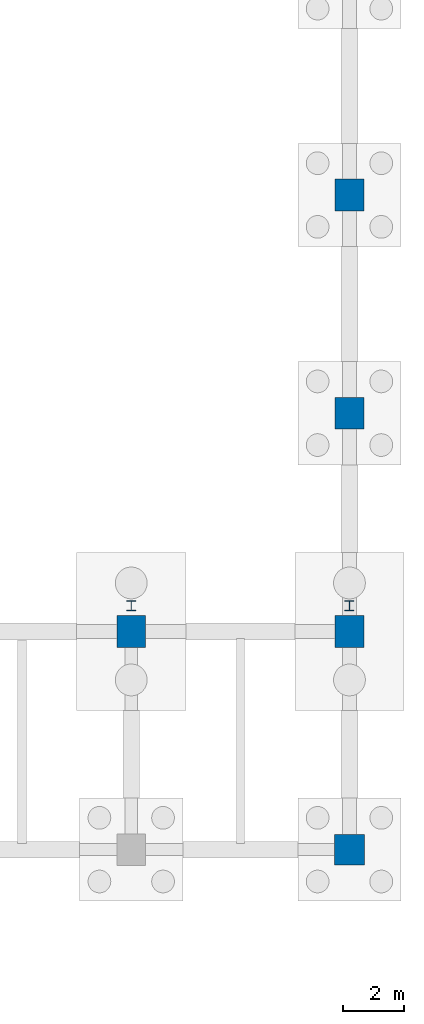
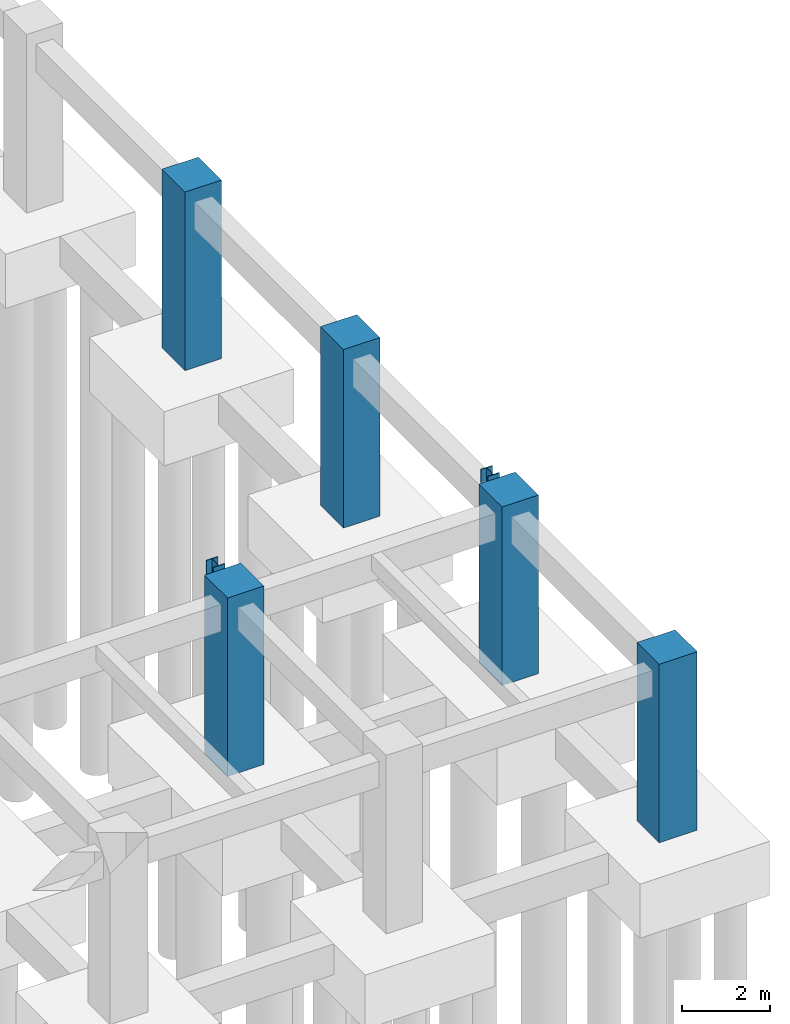
# One storey, part 20 of 47: 7 columns.
"""IFC4 building model written with IfcOpenShell, lengths in metres."""

from ifc_helpers import new_model, si_unit, direction, frame, origin, origin_2d, place, context, subcontext, project, spatial, rectangle, i_section, extrude, material, material_profile, profile_set, type_object, element, save


model = new_model("IFC4")

# Units and contexts
model_context = context("Model", 3, precision=1e-05, world=origin(), true_north=direction((0.0, 1.0)))
body_context = subcontext(model_context, "Body", "Model", "MODEL_VIEW")
ifc_project = project(units=[si_unit("LENGTHUNIT", "METRE"), si_unit("AREAUNIT", "SQUARE_METRE"), si_unit("VOLUMEUNIT", "CUBIC_METRE"), si_unit("PLANEANGLEUNIT", "RADIAN"), si_unit("MASSUNIT", "GRAM", prefix="KILO")], contexts=[model_context])

# Site, building, storey
site_placement = place(None, origin())
site = spatial("IfcSite", under=ifc_project, at=site_placement, CompositionType="ELEMENT")
building_placement = place(site_placement, origin())
building = spatial("IfcBuilding", under=site, at=building_placement, Name="Thalmaran Polytechnic", CompositionType="ELEMENT")
storey_placement = place(building_placement, frame((0.0, 0.0, -4.5)))
storey = spatial("IfcBuildingStorey", under=building, at=storey_placement, Name="B1", CompositionType="ELEMENT", Elevation=-4.5)

# Columns
ifc_material_1 = material(Name="Steel S355", Category="steel")
ifc_material_profile_1 = material_profile(ifc_material_1, i_section(OverallWidth=0.300048828125, OverallDepth=0.340087890625, WebThickness=0.011962890625, FlangeThickness=0.021484375, at=origin_2d()), Name="HEB 340")
ifc_profile_set_1 = profile_set([ifc_material_profile_1], Name="Steel S355")
column_type_1 = type_object("IfcColumnType", Name="COL-SC1", PredefinedType="COLUMN", material=ifc_profile_set_1)
for number, where, z_axis, x_axis, name in (
    (1, (165.60009765625, 8.050048828125, -0.449951171875), (0.0, 0.0, 1.0), (1.0, 0.0, 0.0), "Workshop Crane Runway Column B1 (23,1)"),
    (2, (172.800048828125, 8.050048828125, -0.449951171875), (0.0, 0.0, 1.0), (1.0, 0.0, 0.0), "Workshop Crane Runway Column B1 (24,1)"),
):
    element("IfcColumn", number, at=place(storey_placement, frame(where, z_axis=z_axis, x_axis=x_axis)), inside=storey, type_object=column_type_1, Name=name, PredefinedType="COLUMN", context=body_context, shape_type="SweptSolid", body=[
        extrude(i_section(OverallWidth=0.300048828125, OverallDepth=0.340087890625, WebThickness=0.011962890625, FlangeThickness=0.021484375, at=origin_2d()), origin(), (0.0, 0.0, 1.0), 4.949951171875),
    ])
ifc_material_2 = material(Name="Concrete C50/60", Category="concrete")
ifc_material_profile_2 = material_profile(ifc_material_2, rectangle(XDim=1.0, YDim=1.0, at=origin_2d()), Name="RC 1000x1000")
ifc_profile_set_2 = profile_set([ifc_material_profile_2], Name="Concrete C50/60")
column_type_2 = type_object("IfcColumnType", Name="COL-WP1", PredefinedType="COLUMN", material=ifc_profile_set_2)
column_placement = place(storey_placement, frame((172.800048828125, 0.0, -0.449951171875), z_axis=(0.0, 0.0, 1.0), x_axis=(1.0, 0.0, 0.0)))
element("IfcColumn", 3, at=column_placement, inside=storey, type_object=column_type_2, Name="Column WP1 B1 (24,0)", PredefinedType="COLUMN", context=body_context, shape_type="SweptSolid", body=[
    extrude(rectangle(XDim=1.0, YDim=1.0, at=origin_2d()), origin(), (0.0, 0.0, 1.0), 4.949951171875),
])
ifc_material_profile_3 = material_profile(ifc_material_2, rectangle(XDim=0.949951171875, YDim=1.050048828125, at=origin_2d()), Name="RC 950x1050")
ifc_profile_set_3 = profile_set([ifc_material_profile_3], Name="Concrete C50/60")
column_type_3 = type_object("IfcColumnType", Name="COL-WP2", PredefinedType="COLUMN", material=ifc_profile_set_3)
for number, where, z_axis, x_axis, name in (
    (4, (165.60009765625, 7.199951171875, -0.449951171875), (0.0, 0.0, 1.0), (1.0, 0.0, 0.0), "Column WP2 B1 (23,1)"),
    (5, (172.800048828125, 7.199951171875, -0.449951171875), (0.0, 0.0, 1.0), (1.0, 0.0, 0.0), "Column WP2 B1 (24,1)"),
    (6, (172.800048828125, 14.39990234375, -0.449951171875), (0.0, 0.0, 1.0), (1.0, 0.0, 0.0), "Column WP2 B1 (24,2)"),
    (7, (172.800048828125, 21.60009765625, -0.449951171875), (0.0, 0.0, 1.0), (1.0, 0.0, 0.0), "Column WP2 B1 (24,3)"),
):
    element("IfcColumn", number, at=place(storey_placement, frame(where, z_axis=z_axis, x_axis=x_axis)), inside=storey, type_object=column_type_3, Name=name, PredefinedType="COLUMN", context=body_context, shape_type="SweptSolid", body=[
        extrude(rectangle(XDim=0.949951171875, YDim=1.050048828125, at=origin_2d()), origin(), (0.0, 0.0, 1.0), 4.949951171875),
    ])

save(model, "model.ifc")
